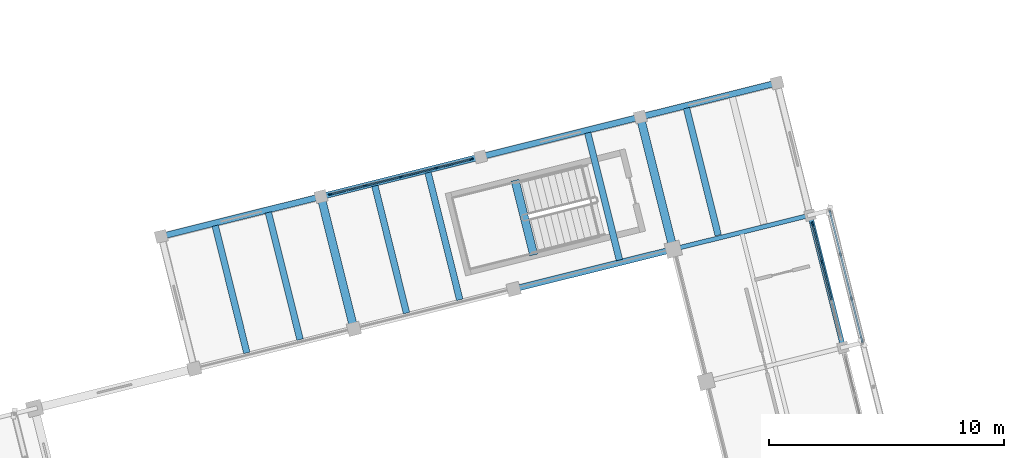
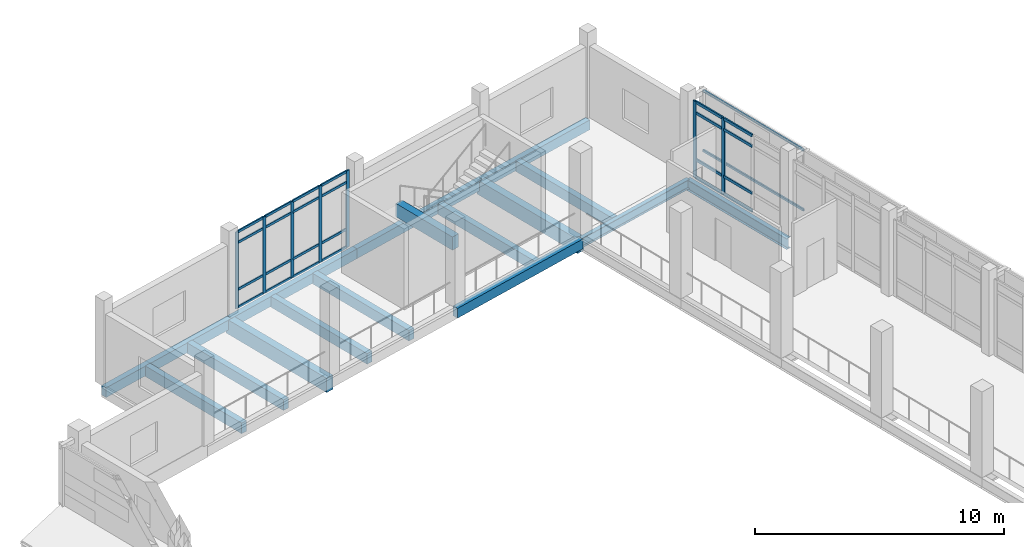
# One storey, part 41 of 137: 33 members, 16 beams, 2 elements without a shape of their own.
"""IFC4 building model written with IfcOpenShell, lengths in metres."""

from ifc_helpers import new_model, si_unit, direction, frame, origin, origin_2d, place, context, subcontext, project, spatial, rectangle, hollow_rectangle, i_section, extrude, material, material_profile, profile_set, type_object, element, aggregate, save


model = new_model("IFC4")

# Units and contexts
model_context = context("Model", 3, precision=1e-05, world=origin(), true_north=direction((0.0, 1.0)))
body_context = subcontext(model_context, "Body", "Model", "MODEL_VIEW")
ifc_project = project(units=[si_unit("LENGTHUNIT", "METRE"), si_unit("AREAUNIT", "SQUARE_METRE"), si_unit("VOLUMEUNIT", "CUBIC_METRE"), si_unit("PLANEANGLEUNIT", "RADIAN"), si_unit("MASSUNIT", "GRAM", prefix="KILO")], contexts=[model_context])

# Site, building, storey
site_placement = place(None, origin())
site = spatial("IfcSite", under=ifc_project, at=site_placement, CompositionType="ELEMENT")
building_placement = place(site_placement, origin())
building = spatial("IfcBuilding", under=site, at=building_placement, Name="Cinderway Yard Community Centre", CompositionType="ELEMENT")
storey_placement = place(building_placement, frame((0.0, 0.0, 4.800048828125)))
storey = spatial("IfcBuildingStorey", under=building, at=storey_placement, Name="L01", CompositionType="ELEMENT", Elevation=4.800048828125)

# Curtain wall, members
ifc_material_1 = material(Name="Aluminium 6063-T6", Category="aluminium")
curtain_wall_type_1 = type_object("IfcCurtainWallType", Name="ENV-CW-TYPE-05", PredefinedType="USERDEFINED", material=ifc_material_1)
curtain_wall_1_placement = place(storey_placement, origin())
curtain_wall_1 = element("IfcCurtainWall", 1, at=curtain_wall_1_placement, inside=storey, type_object=curtain_wall_type_1, Name="Choir North Curtain Wall ENV-CW-L01-ST-0019", ObjectType="GLAZED CURTAIN WALL", PredefinedType="USERDEFINED")
ifc_material_profile_1 = material_profile(ifc_material_1, rectangle(XDim=0.06005859375, YDim=0.159912109375, at=origin_2d()), Name="Aluminium 6063-T6")
ifc_profile_set_1 = profile_set([ifc_material_profile_1], Name="Aluminium 6063-T6")
member_type_1 = type_object("IfcMemberType", Name="ENV-CW-MULL-150", PredefinedType="MULLION", material=ifc_profile_set_1)
member_1_placement = place(storey_placement, frame((22.566162109375, 73.624267578125, 0.0), z_axis=(0.0, 0.0, 1.0), x_axis=(-0.242007641009, 0.97027434352, 0.0)))
member_1 = element("IfcMember", 2, at=member_1_placement, type_object=member_type_1, Name="CW-05 mullion 1", PredefinedType="MULLION", context=body_context, shape_type="SweptSolid", body=[
    extrude(rectangle(XDim=0.06005859375, YDim=0.159912109375, at=origin_2d()), origin(), (0.0, 0.0, 1.0), 3.75),
])
member_2_placement = place(storey_placement, frame((24.050537109375, 73.994384765625, 0.0), z_axis=(0.0, 0.0, 1.0), x_axis=(-0.242007641009, 0.97027434352, 0.0)))
member_2 = element("IfcMember", 3, at=member_2_placement, type_object=member_type_1, Name="CW-05 mullion 2", PredefinedType="MULLION", context=body_context, shape_type="SweptSolid", body=[
    extrude(rectangle(XDim=0.06005859375, YDim=0.159912109375, at=origin_2d()), origin(), (0.0, 0.0, 1.0), 3.75),
])
member_3_placement = place(storey_placement, frame((25.56396484375, 74.3720703125, 0.0), z_axis=(0.0, 0.0, 1.0), x_axis=(-0.242007641009, 0.97027434352, 0.0)))
member_3 = element("IfcMember", 4, at=member_3_placement, type_object=member_type_1, Name="CW-05 mullion 3", PredefinedType="MULLION", context=body_context, shape_type="SweptSolid", body=[
    extrude(rectangle(XDim=0.06005859375, YDim=0.159912109375, at=origin_2d()), origin(), (0.0, 0.0, 1.0), 3.75),
])
member_4_placement = place(storey_placement, frame((27.077392578125, 74.74951171875, 0.0), z_axis=(0.0, 0.0, 1.0), x_axis=(-0.242007641009, 0.97027434352, 0.0)))
member_4 = element("IfcMember", 5, at=member_4_placement, type_object=member_type_1, Name="CW-05 mullion 4", PredefinedType="MULLION", context=body_context, shape_type="SweptSolid", body=[
    extrude(rectangle(XDim=0.06005859375, YDim=0.159912109375, at=origin_2d()), origin(), (0.0, 0.0, 1.0), 3.75),
])
member_5_placement = place(storey_placement, frame((28.56201171875, 75.11962890625, 0.0), z_axis=(0.0, 0.0, 1.0), x_axis=(-0.242007641009, 0.97027434352, 0.0)))
member_5 = element("IfcMember", 6, at=member_5_placement, type_object=member_type_1, Name="CW-05 mullion 5", PredefinedType="MULLION", context=body_context, shape_type="SweptSolid", body=[
    extrude(rectangle(XDim=0.06005859375, YDim=0.159912109375, at=origin_2d()), origin(), (0.0, 0.0, 1.0), 3.75),
])

curtain_wall_type_2 = type_object("IfcCurtainWallType", Name="ENV-CW-TYPE-04", PredefinedType="USERDEFINED", material=ifc_material_1)
curtain_wall_2_placement = place(storey_placement, origin())
curtain_wall_2 = element("IfcCurtainWall", 7, at=curtain_wall_2_placement, inside=storey, type_object=curtain_wall_type_2, Name="Main Hall Courtyard Curtain Wall ENV-CW-L01-HS-0016", ObjectType="GLAZED CURTAIN WALL", PredefinedType="USERDEFINED")
ifc_material_profile_2 = material_profile(ifc_material_1, rectangle(XDim=0.06494140625, YDim=0.179931640625, at=origin_2d()), Name="Aluminium 6063-T6")
ifc_profile_set_2 = profile_set([ifc_material_profile_2], Name="Aluminium 6063-T6")
member_type_2 = type_object("IfcMemberType", Name="ENV-CW-MULL-180", PredefinedType="MULLION", material=ifc_profile_set_2)
member_6_placement = place(storey_placement, frame((43.47412109375, 70.74365234375, 0.0), z_axis=(0.0, 0.0, 1.0), x_axis=(-0.970258158409, -0.242072522276, 0.0)))
member_6 = element("IfcMember", 8, at=member_6_placement, type_object=member_type_2, Name="CW-04 mullion 3", PredefinedType="MULLION", context=body_context, shape_type="SweptSolid", body=[
    extrude(rectangle(XDim=0.06494140625, YDim=0.179931640625, at=origin_2d()), origin(), (0.0, 0.0, 1.0), 3.75),
])
member_7_placement = place(storey_placement, frame((43.0712890625, 72.35791015625, 0.0), z_axis=(0.0, 0.0, 1.0), x_axis=(-0.970258158409, -0.242072522276, 0.0)))
member_7 = element("IfcMember", 9, at=member_7_placement, type_object=member_type_2, Name="CW-04 mullion 4", PredefinedType="MULLION", context=body_context, shape_type="SweptSolid", body=[
    extrude(rectangle(XDim=0.06494140625, YDim=0.179931640625, at=origin_2d()), origin(), (0.0, 0.0, 1.0), 3.75),
])

# Member
ifc_material_profile_3 = material_profile(ifc_material_1, rectangle(XDim=0.06005859375, YDim=0.1201171875, at=origin_2d()), Name="Aluminium 6063-T6")
ifc_profile_set_3 = profile_set([ifc_material_profile_3], Name="Aluminium 6063-T6")
member_type_3 = type_object("IfcMemberType", Name="ENV-CW-TRAN-110", PredefinedType="USERDEFINED", material=ifc_profile_set_3)
member_8_placement = place(storey_placement, frame((22.59521484375, 73.631591796875, 0.030029296875), z_axis=(0.970279123245, 0.241988476989, 0.0), x_axis=(-0.241988476989, 0.970279123245, 0.0)))
member_8 = element("IfcMember", 10, at=member_8_placement, type_object=member_type_3, Name="CW-05 transom 1.1", ObjectType="TRANSOM", PredefinedType="USERDEFINED", context=body_context, shape_type="SweptSolid", body=[
    extrude(rectangle(XDim=0.06005859375, YDim=0.1201171875, at=origin_2d()), origin(), (0.0, 0.0, 1.0), 1.469970703125),
])

member_9_placement = place(storey_placement, frame((22.59521484375, 73.631591796875, 0.89990234375), z_axis=(0.970279123245, 0.241988476989, 0.0), x_axis=(-0.241988476989, 0.970279123245, 0.0)))
member_9 = element("IfcMember", 11, at=member_9_placement, type_object=member_type_3, Name="CW-05 transom 1.2", ObjectType="TRANSOM", PredefinedType="USERDEFINED", context=body_context, shape_type="SweptSolid", body=[
    extrude(rectangle(XDim=0.06005859375, YDim=0.1201171875, at=origin_2d()), origin(), (0.0, 0.0, 1.0), 1.469970703125),
])

member_10_placement = place(storey_placement, frame((22.59521484375, 73.631591796875, 3.199951171875), z_axis=(0.970279123245, 0.241988476989, 0.0), x_axis=(-0.241988476989, 0.970279123245, 0.0)))
member_10 = element("IfcMember", 12, at=member_10_placement, type_object=member_type_3, Name="CW-05 transom 1.3", ObjectType="TRANSOM", PredefinedType="USERDEFINED", context=body_context, shape_type="SweptSolid", body=[
    extrude(rectangle(XDim=0.06005859375, YDim=0.1201171875, at=origin_2d()), origin(), (0.0, 0.0, 1.0), 1.469970703125),
])

member_11_placement = place(storey_placement, frame((22.59521484375, 73.631591796875, 3.719970703125), z_axis=(0.970279123245, 0.241988476989, 0.0), x_axis=(-0.241988476989, 0.970279123245, 0.0)))
member_11 = element("IfcMember", 13, at=member_11_placement, type_object=member_type_3, Name="CW-05 transom 1.4", ObjectType="TRANSOM", PredefinedType="USERDEFINED", context=body_context, shape_type="SweptSolid", body=[
    extrude(rectangle(XDim=0.06005859375, YDim=0.1201171875, at=origin_2d()), origin(), (0.0, 0.0, 1.0), 1.469970703125),
])

member_12_placement = place(storey_placement, frame((24.07958984375, 74.001708984375, 0.030029296875), z_axis=(0.970266842906, 0.242037711022, 0.0), x_axis=(-0.242037711022, 0.970266842906, 0.0)))
member_12 = element("IfcMember", 14, at=member_12_placement, type_object=member_type_3, Name="CW-05 transom 2.1", ObjectType="TRANSOM", PredefinedType="USERDEFINED", context=body_context, shape_type="SweptSolid", body=[
    extrude(rectangle(XDim=0.06005859375, YDim=0.1201171875, at=origin_2d()), origin(), (0.0, 0.0, 1.0), 1.5),
])

member_13_placement = place(storey_placement, frame((24.07958984375, 74.001708984375, 0.89990234375), z_axis=(0.970266842906, 0.242037711022, 0.0), x_axis=(-0.242037711022, 0.970266842906, 0.0)))
member_13 = element("IfcMember", 15, at=member_13_placement, type_object=member_type_3, Name="CW-05 transom 2.2", ObjectType="TRANSOM", PredefinedType="USERDEFINED", context=body_context, shape_type="SweptSolid", body=[
    extrude(rectangle(XDim=0.06005859375, YDim=0.1201171875, at=origin_2d()), origin(), (0.0, 0.0, 1.0), 1.5),
])

member_14_placement = place(storey_placement, frame((24.07958984375, 74.001708984375, 3.199951171875), z_axis=(0.970266842906, 0.242037711022, 0.0), x_axis=(-0.242037711022, 0.970266842906, 0.0)))
member_14 = element("IfcMember", 16, at=member_14_placement, type_object=member_type_3, Name="CW-05 transom 2.3", ObjectType="TRANSOM", PredefinedType="USERDEFINED", context=body_context, shape_type="SweptSolid", body=[
    extrude(rectangle(XDim=0.06005859375, YDim=0.1201171875, at=origin_2d()), origin(), (0.0, 0.0, 1.0), 1.5),
])

member_15_placement = place(storey_placement, frame((24.07958984375, 74.001708984375, 3.719970703125), z_axis=(0.970266842906, 0.242037711022, 0.0), x_axis=(-0.242037711022, 0.970266842906, 0.0)))
member_15 = element("IfcMember", 17, at=member_15_placement, type_object=member_type_3, Name="CW-05 transom 2.4", ObjectType="TRANSOM", PredefinedType="USERDEFINED", context=body_context, shape_type="SweptSolid", body=[
    extrude(rectangle(XDim=0.06005859375, YDim=0.1201171875, at=origin_2d()), origin(), (0.0, 0.0, 1.0), 1.5),
])

member_16_placement = place(storey_placement, frame((25.593017578125, 74.379150390625, 0.030029296875), z_axis=(0.970266842906, 0.242037711022, 0.0), x_axis=(-0.242037711022, 0.970266842906, 0.0)))
member_16 = element("IfcMember", 18, at=member_16_placement, type_object=member_type_3, Name="CW-05 transom 3.1", ObjectType="TRANSOM", PredefinedType="USERDEFINED", context=body_context, shape_type="SweptSolid", body=[
    extrude(rectangle(XDim=0.06005859375, YDim=0.1201171875, at=origin_2d()), origin(), (0.0, 0.0, 1.0), 1.5),
])

member_17_placement = place(storey_placement, frame((25.593017578125, 74.379150390625, 0.89990234375), z_axis=(0.970266842906, 0.242037711022, 0.0), x_axis=(-0.242037711022, 0.970266842906, 0.0)))
member_17 = element("IfcMember", 19, at=member_17_placement, type_object=member_type_3, Name="CW-05 transom 3.2", ObjectType="TRANSOM", PredefinedType="USERDEFINED", context=body_context, shape_type="SweptSolid", body=[
    extrude(rectangle(XDim=0.06005859375, YDim=0.1201171875, at=origin_2d()), origin(), (0.0, 0.0, 1.0), 1.5),
])

member_18_placement = place(storey_placement, frame((25.593017578125, 74.379150390625, 3.199951171875), z_axis=(0.970266842906, 0.242037711022, 0.0), x_axis=(-0.242037711022, 0.970266842906, 0.0)))
member_18 = element("IfcMember", 20, at=member_18_placement, type_object=member_type_3, Name="CW-05 transom 3.3", ObjectType="TRANSOM", PredefinedType="USERDEFINED", context=body_context, shape_type="SweptSolid", body=[
    extrude(rectangle(XDim=0.06005859375, YDim=0.1201171875, at=origin_2d()), origin(), (0.0, 0.0, 1.0), 1.5),
])

member_19_placement = place(storey_placement, frame((25.593017578125, 74.379150390625, 3.719970703125), z_axis=(0.970266842906, 0.242037711022, 0.0), x_axis=(-0.242037711022, 0.970266842906, 0.0)))
member_19 = element("IfcMember", 21, at=member_19_placement, type_object=member_type_3, Name="CW-05 transom 3.4", ObjectType="TRANSOM", PredefinedType="USERDEFINED", context=body_context, shape_type="SweptSolid", body=[
    extrude(rectangle(XDim=0.06005859375, YDim=0.1201171875, at=origin_2d()), origin(), (0.0, 0.0, 1.0), 1.5),
])

member_20_placement = place(storey_placement, frame((27.106689453125, 74.7568359375, 0.030029296875), z_axis=(0.970269395112, 0.242027479657, 0.0), x_axis=(-0.242027479657, 0.970269395112, 0.0)))
member_20 = element("IfcMember", 22, at=member_20_placement, type_object=member_type_3, Name="CW-05 transom 4.1", ObjectType="TRANSOM", PredefinedType="USERDEFINED", context=body_context, shape_type="SweptSolid", body=[
    extrude(rectangle(XDim=0.06005859375, YDim=0.1201171875, at=origin_2d()), origin(), (0.0, 0.0, 1.0), 1.4697265625),
])

member_21_placement = place(storey_placement, frame((27.106689453125, 74.7568359375, 0.89990234375), z_axis=(0.970269395112, 0.242027479657, 0.0), x_axis=(-0.242027479657, 0.970269395112, 0.0)))
member_21 = element("IfcMember", 23, at=member_21_placement, type_object=member_type_3, Name="CW-05 transom 4.2", ObjectType="TRANSOM", PredefinedType="USERDEFINED", context=body_context, shape_type="SweptSolid", body=[
    extrude(rectangle(XDim=0.06005859375, YDim=0.1201171875, at=origin_2d()), origin(), (0.0, 0.0, 1.0), 1.4697265625),
])

member_22_placement = place(storey_placement, frame((27.106689453125, 74.7568359375, 3.199951171875), z_axis=(0.970269395112, 0.242027479657, 0.0), x_axis=(-0.242027479657, 0.970269395112, 0.0)))
member_22 = element("IfcMember", 24, at=member_22_placement, type_object=member_type_3, Name="CW-05 transom 4.3", ObjectType="TRANSOM", PredefinedType="USERDEFINED", context=body_context, shape_type="SweptSolid", body=[
    extrude(rectangle(XDim=0.06005859375, YDim=0.1201171875, at=origin_2d()), origin(), (0.0, 0.0, 1.0), 1.4697265625),
])

member_23_placement = place(storey_placement, frame((27.106689453125, 74.7568359375, 3.719970703125), z_axis=(0.970269395112, 0.242027479657, 0.0), x_axis=(-0.242027479657, 0.970269395112, 0.0)))
member_23 = element("IfcMember", 25, at=member_23_placement, type_object=member_type_3, Name="CW-05 transom 4.4", ObjectType="TRANSOM", PredefinedType="USERDEFINED", context=body_context, shape_type="SweptSolid", body=[
    extrude(rectangle(XDim=0.06005859375, YDim=0.1201171875, at=origin_2d()), origin(), (0.0, 0.0, 1.0), 1.4697265625),
])

aggregate(curtain_wall_1, [member_1, member_2, member_3, member_4, member_5, member_8, member_9, member_10, member_11, member_12, member_13, member_14, member_15, member_16, member_17, member_18, member_19, member_20, member_21, member_22, member_23])

ifc_material_profile_4 = material_profile(ifc_material_1, rectangle(XDim=0.06494140625, YDim=0.139892578125, at=origin_2d()), Name="Aluminium 6063-T6")
ifc_profile_set_4 = profile_set([ifc_material_profile_4], Name="Aluminium 6063-T6")
member_type_4 = type_object("IfcMemberType", Name="ENV-CW-TRAN-140", PredefinedType="USERDEFINED", material=ifc_profile_set_4)
member_24_placement = place(storey_placement, frame((43.876708984375, 69.12939453125, 0.030029296875), z_axis=(-0.242078514502, 0.970256663371, 0.0), x_axis=(-0.970256663371, -0.242078514502, 0.0)))
member_24 = element("IfcMember", 26, at=member_24_placement, type_object=member_type_4, Name="CW-04 transom 2.1", ObjectType="TRANSOM", PredefinedType="USERDEFINED", context=body_context, shape_type="SweptSolid", body=[
    extrude(rectangle(XDim=0.06494140625, YDim=0.139892578125, at=origin_2d()), origin(), (0.0, 0.0, 1.0), 1.6337890625),
])

member_25_placement = place(storey_placement, frame((43.876708984375, 69.12939453125, 0.89990234375), z_axis=(-0.242078514502, 0.970256663371, 0.0), x_axis=(-0.970256663371, -0.242078514502, 0.0)))
member_25 = element("IfcMember", 27, at=member_25_placement, type_object=member_type_4, Name="CW-04 transom 2.2", ObjectType="TRANSOM", PredefinedType="USERDEFINED", context=body_context, shape_type="SweptSolid", body=[
    extrude(rectangle(XDim=0.06494140625, YDim=0.139892578125, at=origin_2d()), origin(), (0.0, 0.0, 1.0), 1.6337890625),
])

member_26_placement = place(storey_placement, frame((43.876708984375, 69.12939453125, 3.199951171875), z_axis=(-0.242078514502, 0.970256663371, 0.0), x_axis=(-0.970256663371, -0.242078514502, 0.0)))
member_26 = element("IfcMember", 28, at=member_26_placement, type_object=member_type_4, Name="CW-04 transom 2.3", ObjectType="TRANSOM", PredefinedType="USERDEFINED", context=body_context, shape_type="SweptSolid", body=[
    extrude(rectangle(XDim=0.06494140625, YDim=0.139892578125, at=origin_2d()), origin(), (0.0, 0.0, 1.0), 1.6337890625),
])

member_27_placement = place(storey_placement, frame((43.876708984375, 69.12939453125, 3.719970703125), z_axis=(-0.242078514502, 0.970256663371, 0.0), x_axis=(-0.970256663371, -0.242078514502, 0.0)))
member_27 = element("IfcMember", 29, at=member_27_placement, type_object=member_type_4, Name="CW-04 transom 2.4", ObjectType="TRANSOM", PredefinedType="USERDEFINED", context=body_context, shape_type="SweptSolid", body=[
    extrude(rectangle(XDim=0.06494140625, YDim=0.139892578125, at=origin_2d()), origin(), (0.0, 0.0, 1.0), 1.6337890625),
])

member_28_placement = place(storey_placement, frame((43.466796875, 70.772705078125, 0.030029296875), z_axis=(-0.242034153032, 0.970267730457, 0.0), x_axis=(-0.970267730457, -0.242034153032, 0.0)))
member_28 = element("IfcMember", 30, at=member_28_placement, type_object=member_type_4, Name="CW-04 transom 3.1", ObjectType="TRANSOM", PredefinedType="USERDEFINED", context=body_context, shape_type="SweptSolid", body=[
    extrude(rectangle(XDim=0.06494140625, YDim=0.139892578125, at=origin_2d()), origin(), (0.0, 0.0, 1.0), 1.603759765625),
])

member_29_placement = place(storey_placement, frame((43.466796875, 70.772705078125, 0.89990234375), z_axis=(-0.242034153032, 0.970267730457, 0.0), x_axis=(-0.970267730457, -0.242034153032, 0.0)))
member_29 = element("IfcMember", 31, at=member_29_placement, type_object=member_type_4, Name="CW-04 transom 3.2", ObjectType="TRANSOM", PredefinedType="USERDEFINED", context=body_context, shape_type="SweptSolid", body=[
    extrude(rectangle(XDim=0.06494140625, YDim=0.139892578125, at=origin_2d()), origin(), (0.0, 0.0, 1.0), 1.603759765625),
])

member_30_placement = place(storey_placement, frame((43.466796875, 70.772705078125, 3.199951171875), z_axis=(-0.242034153032, 0.970267730457, 0.0), x_axis=(-0.970267730457, -0.242034153032, 0.0)))
member_30 = element("IfcMember", 32, at=member_30_placement, type_object=member_type_4, Name="CW-04 transom 3.3", ObjectType="TRANSOM", PredefinedType="USERDEFINED", context=body_context, shape_type="SweptSolid", body=[
    extrude(rectangle(XDim=0.06494140625, YDim=0.139892578125, at=origin_2d()), origin(), (0.0, 0.0, 1.0), 1.603759765625),
])

member_31_placement = place(storey_placement, frame((43.466796875, 70.772705078125, 3.719970703125), z_axis=(-0.242034153032, 0.970267730457, 0.0), x_axis=(-0.970267730457, -0.242034153032, 0.0)))
member_31 = element("IfcMember", 33, at=member_31_placement, type_object=member_type_4, Name="CW-04 transom 3.4", ObjectType="TRANSOM", PredefinedType="USERDEFINED", context=body_context, shape_type="SweptSolid", body=[
    extrude(rectangle(XDim=0.06494140625, YDim=0.139892578125, at=origin_2d()), origin(), (0.0, 0.0, 1.0), 1.603759765625),
])

aggregate(curtain_wall_2, [member_6, member_7, member_24, member_25, member_26, member_27, member_28, member_29, member_30, member_31])

# Members
ifc_material_2 = material(Name="Steel S355", Category="steel")
ifc_material_profile_5 = material_profile(ifc_material_2, hollow_rectangle(XDim=0.080078125, YDim=0.1201171875, WallThickness=0.00634765625, InnerFilletRadius=0.00634765625, OuterFilletRadius=0.0126953125, at=origin_2d()), Name="Steel S355")
ifc_profile_set_5 = profile_set([ifc_material_profile_5], Name="Steel S355")
member_type_5 = type_object("IfcMemberType", Name="ENV-MEM-SCREEN-RAIL-120", PredefinedType="STRINGER", material=ifc_profile_set_5)
for number, where, z_axis, x_axis, name in (
    (34, (45.2060546875, 67.31396484375, 0.7099609375), (-0.242060225261, 0.970261226344, 0.0), (-0.970261226344, -0.242060225261, 0.0), "Screen support rail 0820-BOT"),
    (35, (45.2060546875, 67.31396484375, 3.639892578125), (-0.242060225261, 0.970261226344, 0.0), (-0.970261226344, -0.242060225261, 0.0), "Screen support rail 0821-TOP"),
):
    element("IfcMember", number, at=place(storey_placement, frame(where, z_axis=z_axis, x_axis=x_axis)), inside=storey, type_object=member_type_5, Name=name, PredefinedType="STRINGER", context=body_context, shape_type="SweptSolid", body=[
        extrude(hollow_rectangle(XDim=0.080078125, YDim=0.1201171875, WallThickness=0.00634765625, InnerFilletRadius=0.00634765625, OuterFilletRadius=0.0126953125, at=origin_2d()), origin(), (0.0, 0.0, 1.0), 5.800537109375),
    ])

# Beams
ifc_material_3 = material(Name="Concrete C40/50", Category="concrete")
ifc_material_profile_6 = material_profile(ifc_material_3, rectangle(XDim=0.260009765625, YDim=0.47998046875, at=origin_2d()), Name="Concrete C40/50")
ifc_profile_set_6 = profile_set([ifc_material_profile_6], Name="Concrete C40/50")
beam_type_1 = type_object("IfcBeamType", Name="STR-BM-RC260X480", PredefinedType="SPANDREL", material=ifc_profile_set_6)
beam_1_placement = place(storey_placement, frame((30.364013671875, 69.591064453125, -0.47998046875), z_axis=(0.970281848186, 0.24197755078, 0.0), x_axis=(-0.24197755078, 0.970281848186, 0.0)))
element("IfcBeam", 36, at=beam_1_placement, inside=storey, type_object=beam_type_1, Name="Primary girder STR-BM-L01-SP01-0047", PredefinedType="SPANDREL", context=body_context, shape_type="SweptSolid", body=[
    extrude(rectangle(XDim=0.260009765625, YDim=0.47998046875, at=origin_2d()), origin(), (0.0, 0.0, 1.0), 7.0),
])
beam_2_placement = place(storey_placement, frame((15.3759765625, 71.83203125, -0.47998046875), z_axis=(0.970314595111, 0.241846204259, 0.0), x_axis=(-0.241846204259, 0.970314595111, 0.0)))
element("IfcBeam", 37, at=beam_2_placement, inside=storey, type_object=beam_type_1, Name="Primary girder STR-BM-L01-SP01-0048", PredefinedType="SPANDREL", context=body_context, shape_type="SweptSolid", body=[
    extrude(rectangle(XDim=0.260009765625, YDim=0.47998046875, at=origin_2d()), origin(), (0.0, 0.0, 1.0), 6.999755859375),
])
beam_3_placement = place(storey_placement, frame((22.16796875, 73.52490234375, -0.47998046875), z_axis=(0.970273659022, 0.242010385333, 0.0), x_axis=(-0.242010385333, 0.970273659022, 0.0)))
element("IfcBeam", 38, at=beam_3_placement, inside=storey, type_object=beam_type_1, Name="Primary girder STR-BM-L01-SP01-0049", PredefinedType="SPANDREL", context=body_context, shape_type="SweptSolid", body=[
    extrude(rectangle(XDim=0.260009765625, YDim=0.47998046875, at=origin_2d()), origin(), (0.0, 0.0, 1.0), 7.0),
])
beam_4_placement = place(storey_placement, frame((28.9599609375, 75.218994140625, -0.47998046875), z_axis=(0.970314570401, 0.241846303398, 0.0), x_axis=(-0.241846303398, 0.970314570401, 0.0)))
element("IfcBeam", 39, at=beam_4_placement, inside=storey, type_object=beam_type_1, Name="Primary girder STR-BM-L01-SP01-0050", PredefinedType="SPANDREL", context=body_context, shape_type="SweptSolid", body=[
    extrude(rectangle(XDim=0.260009765625, YDim=0.47998046875, at=origin_2d()), origin(), (0.0, 0.0, 1.0), 7.000732421875),
])
beam_5_placement = place(storey_placement, frame((35.7529296875, 76.912109375, -0.47998046875), z_axis=(0.970274015212, 0.242008957282, 0.0), x_axis=(-0.242008957282, 0.970274015212, 0.0)))
element("IfcBeam", 40, at=beam_5_placement, inside=storey, type_object=beam_type_1, Name="Primary girder STR-BM-L01-SP01-0051", PredefinedType="SPANDREL", context=body_context, shape_type="SweptSolid", body=[
    extrude(rectangle(XDim=0.260009765625, YDim=0.47998046875, at=origin_2d()), origin(), (0.0, 0.0, 1.0), 5.999267578125),
])
ifc_material_4 = material(Name="Concrete C35/45", Category="concrete")
ifc_material_profile_7 = material_profile(ifc_material_4, rectangle(XDim=0.280029296875, YDim=0.52001953125, at=origin_2d()), Name="Concrete C35/45")
ifc_profile_set_7 = profile_set([ifc_material_profile_7], Name="Concrete C35/45")
beam_type_2 = type_object("IfcBeamType", Name="STR-BM-RC280X520", PredefinedType="JOIST", material=ifc_profile_set_7)
beam_6_placement = place(storey_placement, frame((19.01611328125, 66.876953125, -0.5), z_axis=(-0.241917532688, 0.970296814062, 0.0), x_axis=(-0.970296814062, -0.241917532688, 0.0)))
element("IfcBeam", 41, at=beam_6_placement, inside=storey, type_object=beam_type_2, Name="Secondary joist STR-BM-L01-BJ04-0056", PredefinedType="JOIST", context=body_context, shape_type="SweptSolid", body=[
    extrude(rectangle(XDim=0.280029296875, YDim=0.52001953125, at=origin_2d()), origin(), (0.0, 0.0, 1.0), 5.57666015625),
])
beam_7_placement = place(storey_placement, frame((21.280029296875, 67.44189453125, -0.5), z_axis=(-0.241958643865, 0.970286563165, 0.0), x_axis=(-0.970286563165, -0.241958643865, 0.0)))
element("IfcBeam", 42, at=beam_7_placement, inside=storey, type_object=beam_type_2, Name="Secondary joist STR-BM-L01-BJ04-0057", PredefinedType="JOIST", context=body_context, shape_type="SweptSolid", body=[
    extrude(rectangle(XDim=0.280029296875, YDim=0.52001953125, at=origin_2d()), origin(), (0.0, 0.0, 1.0), 5.575927734375),
])
beam_8_placement = place(storey_placement, frame((25.80810546875, 68.571044921875, -0.5), z_axis=(-0.24180401869, 0.970325108685, 0.0), x_axis=(-0.970325108685, -0.24180401869, 0.0)))
element("IfcBeam", 43, at=beam_8_placement, inside=storey, type_object=beam_type_2, Name="Secondary joist STR-BM-L01-BJ04-0058", PredefinedType="JOIST", context=body_context, shape_type="SweptSolid", body=[
    extrude(rectangle(XDim=0.280029296875, YDim=0.52001953125, at=origin_2d()), origin(), (0.0, 0.0, 1.0), 5.575439453125),
])
beam_9_placement = place(storey_placement, frame((28.072998046875, 69.135009765625, -0.5), z_axis=(-0.241886591041, 0.970304528009, 0.0), x_axis=(-0.970304528009, -0.241886591041, 0.0)))
element("IfcBeam", 44, at=beam_9_placement, inside=storey, type_object=beam_type_2, Name="Secondary joist STR-BM-L01-BJ04-0059", PredefinedType="JOIST", context=body_context, shape_type="SweptSolid", body=[
    extrude(rectangle(XDim=0.280029296875, YDim=0.52001953125, at=origin_2d()), origin(), (0.0, 0.0, 1.0), 5.576416015625),
])
beam_10_placement = place(storey_placement, frame((34.864990234375, 70.8291015625, -0.5), z_axis=(-0.241927699469, 0.97029427919, 0.0), x_axis=(-0.97029427919, -0.241927699469, 0.0)))
element("IfcBeam", 45, at=beam_10_placement, inside=storey, type_object=beam_type_2, Name="Secondary joist STR-BM-L01-BJ04-0060", PredefinedType="JOIST", context=body_context, shape_type="SweptSolid", body=[
    extrude(rectangle(XDim=0.280029296875, YDim=0.52001953125, at=origin_2d()), origin(), (0.0, 0.0, 1.0), 5.575439453125),
])
beam_11_placement = place(storey_placement, frame((39.069091796875, 71.876953125, -0.5), z_axis=(-0.241917532688, 0.970296814062, 0.0), x_axis=(-0.970296814062, -0.241917532688, 0.0)))
element("IfcBeam", 46, at=beam_11_placement, inside=storey, type_object=beam_type_2, Name="Secondary joist STR-BM-L01-BJ04-0061", PredefinedType="JOIST", context=body_context, shape_type="SweptSolid", body=[
    extrude(rectangle(XDim=0.280029296875, YDim=0.52001953125, at=origin_2d()), origin(), (0.0, 0.0, 1.0), 5.57666015625),
])
ifc_material_profile_8 = material_profile(ifc_material_4, rectangle(XDim=0.35009765625, YDim=0.64990234375, at=origin_2d()), Name="Concrete C35/45")
ifc_profile_set_8 = profile_set([ifc_material_profile_8], Name="Concrete C35/45")
beam_type_3 = type_object("IfcBeamType", Name="STR-BM-RC350X650", PredefinedType="BEAM", material=ifc_profile_set_8)
beam_12_placement = place(storey_placement, frame((30.425048828125, 74.22412109375, 1.77490234375), z_axis=(0.241730008223, -0.97034354902, 0.0), x_axis=(0.97034354902, 0.241730008223, 0.0)))
element("IfcBeam", 47, at=beam_12_placement, inside=storey, type_object=beam_type_3, Name="Stair half-landing trimmer C3B L01", PredefinedType="BEAM", context=body_context, shape_type="SweptSolid", body=[
    extrude(rectangle(XDim=0.35009765625, YDim=0.64990234375, at=origin_2d()), origin(), (0.0, 0.0, 1.0), 3.2802734375),
])
ifc_material_profile_9 = material_profile(ifc_material_4, rectangle(XDim=0.35009765625, YDim=0.699951171875, at=origin_2d()), Name="Concrete C35/45")
ifc_profile_set_9 = profile_set([ifc_material_profile_9], Name="Concrete C35/45")
beam_type_4 = type_object("IfcBeamType", Name="STR-BM-RC350X700", PredefinedType="BEAM", material=ifc_profile_set_9)
for number, where, z_axis, x_axis, name in (
    (48, (23.572021484375, 67.89794921875, -0.590087890625), (-0.242099772931, 0.970251359157, 0.0), (-0.970251359157, -0.242099772931, 0.0), "Transverse girder STR-BM-L01-BG07-0053"),
    (49, (37.156005859375, 71.284912109375, -0.590087890625), (-0.241931362474, 0.97029336587, 0.0), (-0.97029336587, -0.241931362474, 0.0), "Transverse girder STR-BM-L01-BG07-0054"),
):
    element("IfcBeam", number, at=place(storey_placement, frame(where, z_axis=z_axis, x_axis=x_axis)), inside=storey, type_object=beam_type_4, Name=name, PredefinedType="BEAM", context=body_context, shape_type="SweptSolid", body=[
        extrude(rectangle(XDim=0.35009765625, YDim=0.699951171875, at=origin_2d()), origin(), (0.0, 0.0, 1.0), 5.799560546875),
    ])
ifc_material_profile_10 = material_profile(ifc_material_2, i_section(OverallWidth=0.19091796875, OverallDepth=0.4599609375, WebThickness=0.010009765625, FlangeThickness=0.014404296875, FilletRadius=0.012939453125, at=origin_2d()), Name="Steel S355")
ifc_profile_set_10 = profile_set([ifc_material_profile_10], Name="Steel S355")
beam_type_5 = type_object("IfcBeamType", Name="STR-BM-W460X82", PredefinedType="JOIST", material=ifc_profile_set_10)
beam_13_placement = place(storey_placement, frame((37.156005859375, 71.284912109375, -0.469970703125), z_axis=(0.970302676142, 0.241894019502, 0.0), x_axis=(-0.241894019502, 0.970302676142, 0.0)))
element("IfcBeam", 50, at=beam_13_placement, inside=storey, type_object=beam_type_5, Name="Primary girder STR-BM-L01-SJ01-0025", PredefinedType="JOIST", context=body_context, shape_type="SweptSolid", body=[
    extrude(i_section(OverallWidth=0.19091796875, OverallDepth=0.4599609375, WebThickness=0.010009765625, FlangeThickness=0.014404296875, FilletRadius=0.012939453125, at=origin_2d()), origin(), (0.0, 0.0, 1.0), 5.999267578125),
])
ifc_material_profile_11 = material_profile(ifc_material_2, i_section(OverallWidth=0.2109375, OverallDepth=0.5390625, WebThickness=0.010986328125, FlangeThickness=0.017333984375, FilletRadius=0.013916015625, at=origin_2d()), Name="Steel S355")
ifc_profile_set_11 = profile_set([ifc_material_profile_11], Name="Steel S355")
beam_type_6 = type_object("IfcBeamType", Name="STR-BM-W530X109", PredefinedType="BEAM", material=ifc_profile_set_11)
beam_14_placement = place(storey_placement, frame((44.381103515625, 67.10791015625, -0.510009765625), z_axis=(-0.242050340299, 0.970263692385, 0.0), x_axis=(-0.970263692385, -0.242050340299, 0.0)))
element("IfcBeam", 51, at=beam_14_placement, inside=storey, type_object=beam_type_6, Name="Transverse girder STR-BM-L01-SB06-0039", PredefinedType="BEAM", context=body_context, shape_type="SweptSolid", body=[
    extrude(i_section(OverallWidth=0.2109375, OverallDepth=0.5390625, WebThickness=0.010986328125, FlangeThickness=0.017333984375, FilletRadius=0.013916015625, at=origin_2d()), origin(), (0.0, 0.0, 1.0), 5.80078125),
])

save(model, "model.ifc")
